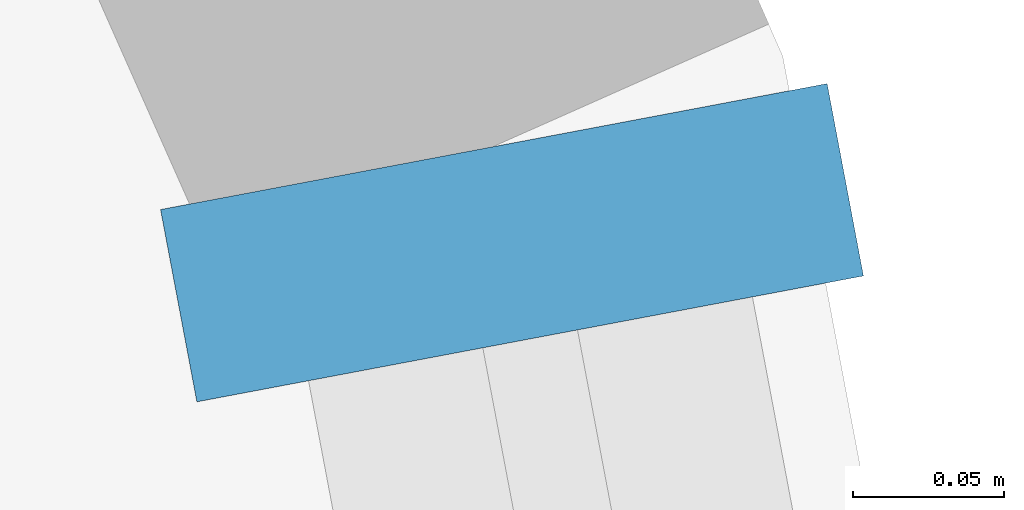
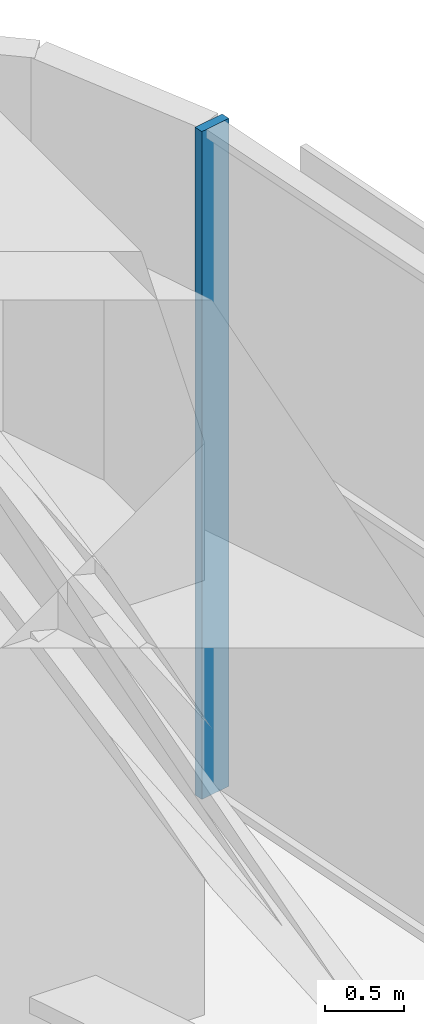
# One storey, part 9 of 20: 1 member, 1 element without a shape of its own.
"""IFC4 building model written with IfcOpenShell, lengths in metres."""

from ifc_helpers import new_model, si_unit, direction, frame, origin, origin_2d, place, context, subcontext, project, spatial, rectangle, extrude, material, material_profile, profile_set, type_object, element, aggregate, save


model = new_model("IFC4")

# Units and contexts
model_context = context("Model", 3, precision=1e-05, world=origin(), true_north=direction((0.0, 1.0)))
body_context = subcontext(model_context, "Body", "Model", "MODEL_VIEW")
ifc_project = project(units=[si_unit("LENGTHUNIT", "METRE"), si_unit("AREAUNIT", "SQUARE_METRE"), si_unit("VOLUMEUNIT", "CUBIC_METRE"), si_unit("PLANEANGLEUNIT", "RADIAN"), si_unit("MASSUNIT", "GRAM", prefix="KILO")], contexts=[model_context])

# Site, building, storey
site_placement = place(None, origin())
site = spatial("IfcSite", under=ifc_project, at=site_placement, CompositionType="ELEMENT")
building_placement = place(site_placement, origin())
building = spatial("IfcBuilding", under=site, at=building_placement, Name="Sheger Commons Tower", CompositionType="ELEMENT")
storey_placement = place(building_placement, frame((0.0, 0.0, 72.5)))
storey = spatial("IfcBuildingStorey", under=building, at=storey_placement, Name="L18", CompositionType="ELEMENT", Elevation=72.5)

# Curtain wall, member
ifc_material_1 = material(Name="Black aluminium curtain wall, dark tinted glazing", Category="aluminium")
curtain_wall_type = type_object("IfcCurtainWallType", Name="CURTAIN WALL CW3 SKY FLOOR", PredefinedType="USERDEFINED", material=ifc_material_1)
curtain_wall_placement = place(storey_placement, origin())
curtain_wall = element("IfcCurtainWall", 1, at=curtain_wall_placement, inside=storey, type_object=curtain_wall_type, Name="Curtain Wall Cw3 Sky Floor E1 L18", ObjectType="UNITISED CURTAIN WALL", PredefinedType="USERDEFINED")
ifc_material_2 = material(Name="Black anodised aluminium", Category="aluminium")
ifc_material_profile = material_profile(ifc_material_2, rectangle(XDim=0.22509765625, YDim=0.06494140625, at=origin_2d()), Name="AL 65x225")
ifc_profile_set = profile_set([ifc_material_profile], Name="Black anodised aluminium")
member_type = type_object("IfcMemberType", Name="MULLION AL 65x225", PredefinedType="MULLION", material=ifc_profile_set)
member_placement = place(storey_placement, frame((42.97607421875, 43.344970703125, 0.0), z_axis=(0.0, 0.0, 1.0), x_axis=(-0.982623514181, -0.185609884918, 0.0)))
member = element("IfcMember", 2, at=member_placement, type_object=member_type, Name="CW3 mullion 12", PredefinedType="MULLION", context=body_context, shape_type="SweptSolid", body=[
    extrude(rectangle(XDim=0.22509765625, YDim=0.06494140625, at=origin_2d()), origin(), (0.0, 0.0, 1.0), 5.14990234375),
])
aggregate(curtain_wall, [member])

save(model, "model.ifc")
